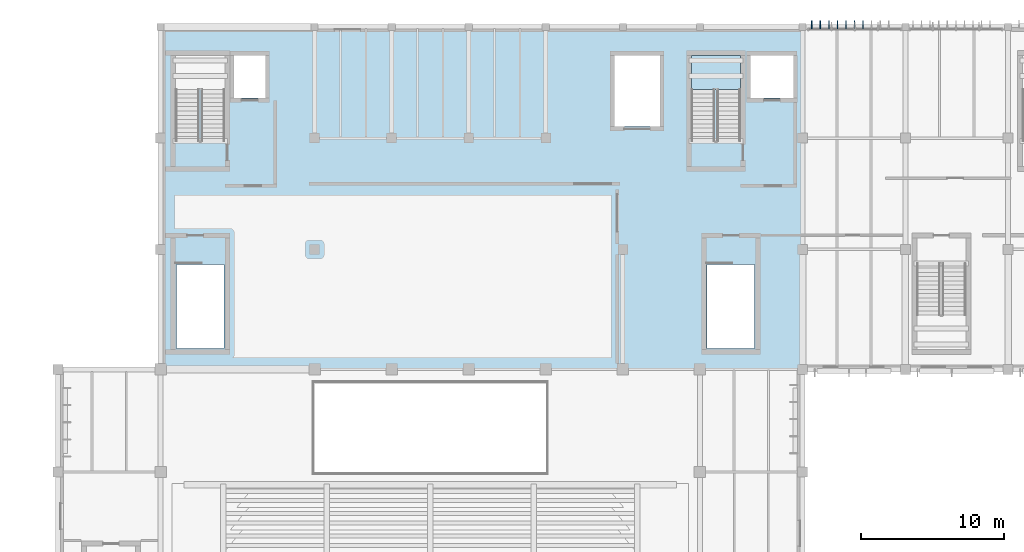
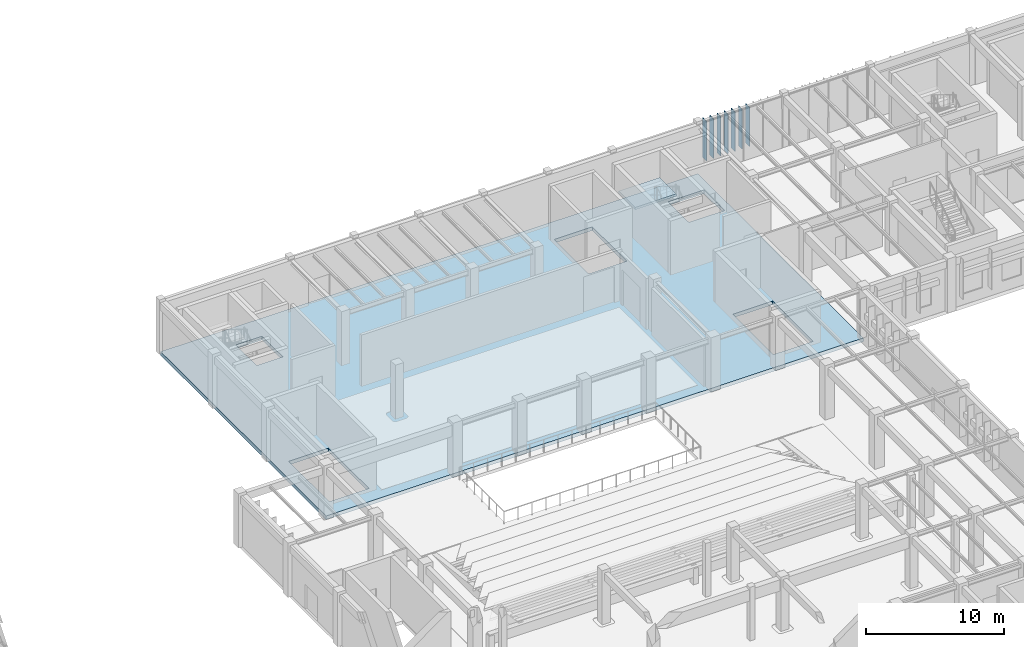
# One storey, part 25 of 122: 7 plates, 2 slabs, 1 element without a shape of its own.
"""IFC4 building model written with IfcOpenShell, lengths in metres."""

from ifc_helpers import new_model, si_unit, direction, frame, origin, origin_2d, place, context, subcontext, project, spatial, polyline, rectangle, outline, extrude, material, layer, layer_set, type_object, element, aggregate, save


model = new_model("IFC4")

# Units and contexts
model_context = context("Model", 3, precision=1e-05, world=origin(), true_north=direction((0.0, 1.0)))
body_context = subcontext(model_context, "Body", "Model", "MODEL_VIEW")
ifc_project = project(units=[si_unit("LENGTHUNIT", "METRE"), si_unit("AREAUNIT", "SQUARE_METRE"), si_unit("VOLUMEUNIT", "CUBIC_METRE"), si_unit("PLANEANGLEUNIT", "RADIAN"), si_unit("MASSUNIT", "GRAM", prefix="KILO")], contexts=[model_context])

# Site, building, storey
site_placement = place(None, origin())
site = spatial("IfcSite", under=ifc_project, at=site_placement, CompositionType="ELEMENT")
building_placement = place(site_placement, origin())
building = spatial("IfcBuilding", under=site, at=building_placement, Name="Tazoul Stagehouse", CompositionType="ELEMENT")
storey_placement = place(building_placement, origin())
storey = spatial("IfcBuildingStorey", under=building, at=storey_placement, Name="L00", CompositionType="ELEMENT", Elevation=0.0)

# Stair, slab
ifc_material_1 = material(Name="Concrete C40/50", Category="concrete")
stair_type = type_object("IfcStairType", Name="Protected Core Dogleg Stair 4800", PredefinedType="HALF_TURN_STAIR", material=ifc_material_1)
stair_placement = place(storey_placement, origin())
stair = element("IfcStair", 1, at=stair_placement, inside=storey, type_object=stair_type, Name="L00 Core Escape Stair ST-01", PredefinedType="HALF_TURN_STAIR")
ifc_layer_1 = layer(ifc_material_1, 0.179931640625, Name="Concrete C40/50")
ifc_layer_set_1 = layer_set([ifc_layer_1], Name="Concrete C40/50")
slab_type_1 = type_object("IfcSlabType", Name="Core Half-Landing Slab 180", PredefinedType="LANDING", material=ifc_layer_set_1)
slab_1_placement = place(storey_placement, frame((0.0, 0.0, 2.199951171875)))
slab_1 = element("IfcSlab", 2, at=slab_1_placement, type_object=slab_type_1, Name="ST-01 landing 1", PredefinedType="LANDING", context=body_context, shape_type="SweptSolid", body=[
    extrude(outline(polyline([(98.25, 107.39990234375), (98.25, 109.800048828125), (94.800048828125, 109.800048828125), (94.800048828125, 107.39990234375), (98.25, 107.39990234375)])), origin(), (0.0, 0.0, 1.0), 0.199951171875),
])
aggregate(stair, [slab_1])

# Plates
ifc_material_2 = material(Name="Anodised Bronze Aluminium 6063-T6", Category="aluminium")
ifc_layer_2 = layer(ifc_material_2, 0.550048828125, Name="Anodised Bronze Aluminium 6063-T6")
ifc_layer_set_2 = layer_set([ifc_layer_2], Name="Anodised Bronze Aluminium 6063-T6")
plate_type = type_object("IfcPlateType", Name="Parametric Terracotta-Bronze Solar Fin 550x3500", PredefinedType="USERDEFINED", material=ifc_layer_set_2)
for number, where, z_axis, x_axis, name in (
    (3, (103.239990234375, 111.93505859375, 0.989990234375), (0.0, 0.0, 1.0), (1.0, 0.0, 0.0), "L00 Parametric Solar Fin SFN-21 (CW-V3-N1-L00-B1-01)"),
    (4, (103.840087890625, 111.93505859375, 0.989990234375), (0.0, 0.0, 1.0), (1.0, 0.0, 0.0), "L00 Parametric Solar Fin SFN-21 (CW-V3-N1-L00-B1-02)"),
    (5, (104.43994140625, 111.93505859375, 0.989990234375), (0.0, 0.0, 1.0), (1.0, 0.0, 0.0), "L00 Parametric Solar Fin SFN-21 (CW-V3-N1-L00-B1-03)"),
    (6, (105.0400390625, 111.93505859375, 0.989990234375), (0.0, 0.0, 1.0), (1.0, 0.0, 0.0), "L00 Parametric Solar Fin SFN-21 (CW-V3-N1-L00-B1-04)"),
    (7, (105.639892578125, 111.93505859375, 0.989990234375), (0.0, 0.0, 1.0), (1.0, 0.0, 0.0), "L00 Parametric Solar Fin SFN-21 (CW-V3-N1-L00-B1-05)"),
    (8, (106.239990234375, 111.93505859375, 0.989990234375), (0.0, 0.0, 1.0), (1.0, 0.0, 0.0), "L00 Parametric Solar Fin SFN-21 (CW-V3-N1-L00-B1-06)"),
    (9, (106.840087890625, 111.93505859375, 0.989990234375), (0.0, 0.0, 1.0), (1.0, 0.0, 0.0), "L00 Parametric Solar Fin SFN-21 (CW-V3-N1-L00-B1-07)"),
):
    element("IfcPlate", number, at=place(storey_placement, frame(where, z_axis=z_axis, x_axis=x_axis)), inside=storey, type_object=plate_type, Name=name, ObjectType="SOLAR FIN", PredefinedType="USERDEFINED", context=body_context, shape_type="SweptSolid", body=[
        extrude(rectangle(XDim=0.044921875, YDim=0.550048828125, at=origin_2d()), origin(), (0.0, 0.0, 1.0), 3.5),
    ])

# Slab
ifc_material_3 = material(Name="Concrete C35/45", Category="concrete")
ifc_layer_3 = layer(ifc_material_3, 0.320068359375, Name="Concrete C35/45")
ifc_layer_set_3 = layer_set([ifc_layer_3], Name="Concrete C35/45")
slab_type_2 = type_object("IfcSlabType", Name="Stagehouse Heavy Slab 320", PredefinedType="FLOOR", material=ifc_layer_set_3)
slab_2_placement = place(storey_placement, frame((0.0, 0.0, -0.320068359375)))
element("IfcSlab", 10, at=slab_2_placement, inside=storey, type_object=slab_type_2, Name="L00 Stagehouse Heavy Slab 320 (V2)", PredefinedType="FLOOR", context=body_context, shape_type="SweptSolid", body=[
    extrude(outline(polyline([(57.60009765625, 87.800048828125), (57.60009765625, 111.800048828125), (102.60009765625, 111.800048828125), (102.60009765625, 87.800048828125), (57.60009765625, 87.800048828125)]), holes=[polyline([(62.0400390625, 95.139892578125), (62.0400390625, 89.260009765625), (58.7099609375, 89.260009765625), (58.7099609375, 95.139892578125), (62.0400390625, 95.139892578125)]), polyline([(62.75, 106.800048828125), (62.75, 109.800048828125), (64.949951171875, 109.800048828125), (64.949951171875, 106.800048828125), (62.75, 106.800048828125)]), polyline([(99.239990234375, 95.139892578125), (99.239990234375, 89.260009765625), (95.909912109375, 89.260009765625), (95.909912109375, 95.139892578125), (99.239990234375, 95.139892578125)]), polyline([(89.39990234375, 109.800048828125), (92.60009765625, 109.800048828125), (92.60009765625, 104.800048828125), (89.39990234375, 104.800048828125), (89.39990234375, 109.800048828125)]), polyline([(98.949951171875, 109.800048828125), (101.949951171875, 109.800048828125), (101.949951171875, 106.800048828125), (98.949951171875, 106.800048828125), (98.949951171875, 109.800048828125)])]), origin(), (0.0, 0.0, 1.0), 0.320068359375),
])

save(model, "model.ifc")
